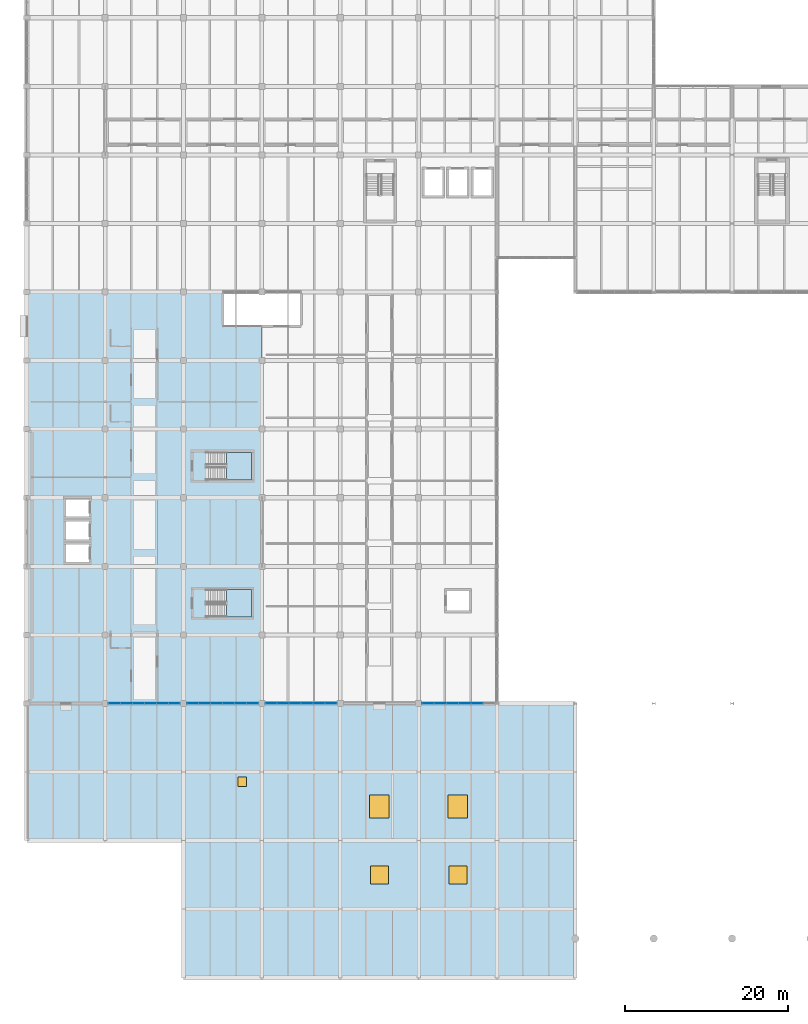
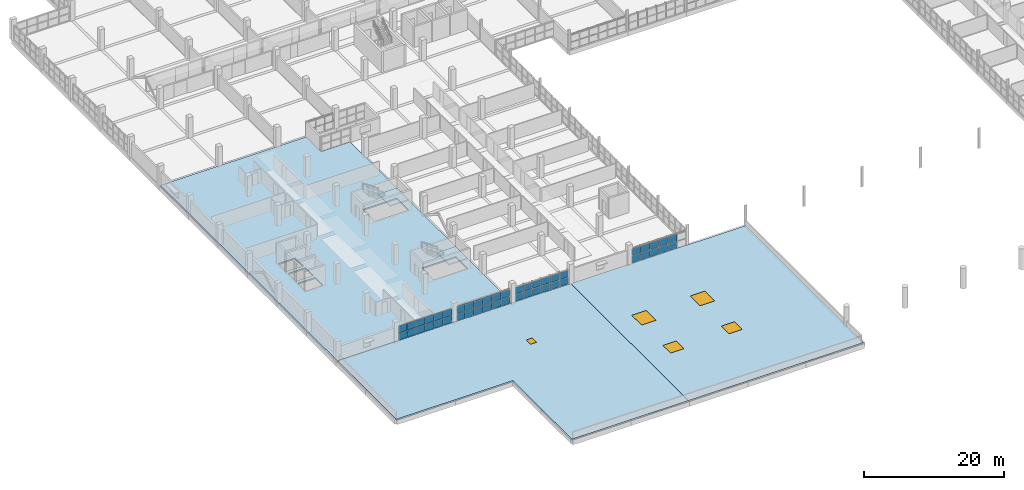
# One storey, part 91 of 147: 46 plates, 5 slabs, 4 windows, 1 door, 5 openings, 7 elements without a shape of their own.
"""IFC4 building model written with IfcOpenShell, lengths in metres."""

from ifc_helpers import new_model, si_unit, direction, frame, origin, origin_2d, place, context, subcontext, project, spatial, polyline, rectangle, outline, extrude, material, layer, layer_set, type_object, element, fill, aggregate, save


model = new_model("IFC4")

# Units and contexts
model_context = context("Model", 3, precision=1e-05, world=origin(), true_north=direction((0.0, 1.0)))
body_context = subcontext(model_context, "Body", "Model", "MODEL_VIEW")
ifc_project = project(units=[si_unit("LENGTHUNIT", "METRE"), si_unit("AREAUNIT", "SQUARE_METRE"), si_unit("VOLUMEUNIT", "CUBIC_METRE"), si_unit("PLANEANGLEUNIT", "RADIAN"), si_unit("MASSUNIT", "GRAM", prefix="KILO")], contexts=[model_context])

# Site, building, storey
site_placement = place(None, origin())
site = spatial("IfcSite", under=ifc_project, at=site_placement, CompositionType="ELEMENT")
building_placement = place(site_placement, origin())
building = spatial("IfcBuilding", under=site, at=building_placement, Name="Oolite Switchyard Hospital", CompositionType="ELEMENT")
storey_placement = place(building_placement, frame((0.0, 0.0, 9.89990234375)))
storey = spatial("IfcBuildingStorey", under=building, at=storey_placement, Name="L02", CompositionType="ELEMENT", Elevation=9.89990234375)

# Curtain wall, plates
ifc_material_1 = material(Name="Thermally broken aluminum frame with laminated impact glazing", Category="aluminium")
curtain_wall_type = type_object("IfcCurtainWallType", Name="CW-UNIT-96X36", PredefinedType="USERDEFINED", material=ifc_material_1)
curtain_wall_1_placement = place(storey_placement, origin())
curtain_wall_1 = element("IfcCurtainWall", 1, at=curtain_wall_1_placement, inside=storey, type_object=curtain_wall_type, Name="L02 Unitised Curtain Wall 221", ObjectType="UNITISED", PredefinedType="USERDEFINED")
ifc_material_2 = material(Name="Insulated fluoropolymer-coated aluminum spandrel panel", Category="aluminium")
ifc_layer_1 = layer(ifc_material_2, 0.070068359375)
ifc_layer_set_1 = layer_set([ifc_layer_1], Name="CW-PNL-SPN70")
plate_type_1 = type_object("IfcPlateType", Name="CW-PNL-SPN70", PredefinedType="CURTAIN_PANEL", material=ifc_layer_set_1)
plate_1_placement = place(storey_placement, frame((18.0576171875, 33.60009765625, 0.0751953125), z_axis=(0.0, 0.0, 1.0), x_axis=(-1.0, 0.0, 0.0)))
plate_1 = element("IfcPlate", 2, at=plate_1_placement, type_object=plate_type_1, Name="CW-03 panel 1.1", PredefinedType="CURTAIN_PANEL", context=body_context, shape_type="SweptSolid", body=[
    extrude(rectangle(XDim=1.364990234375, YDim=0.070068359375, at=origin_2d()), origin(), (0.0, 0.0, 1.0), 1.172607421875),
])
plate_2_placement = place(storey_placement, frame((18.0576171875, 33.60009765625, 1.32275390625), z_axis=(0.0, 0.0, 1.0), x_axis=(-1.0, 0.0, 0.0)))
plate_2 = element("IfcPlate", 3, at=plate_2_placement, type_object=plate_type_1, Name="CW-03 panel 1.2", PredefinedType="CURTAIN_PANEL", context=body_context, shape_type="SweptSolid", body=[
    extrude(rectangle(XDim=1.364990234375, YDim=0.070068359375, at=origin_2d()), origin(), (0.0, 0.0, 1.0), 1.172607421875),
])
plate_3_placement = place(storey_placement, frame((16.60498046875, 33.60009765625, 0.0751953125), z_axis=(0.0, 0.0, 1.0), x_axis=(-1.0, 0.0, 0.0)))
plate_3 = element("IfcPlate", 4, at=plate_3_placement, type_object=plate_type_1, Name="CW-03 panel 2.1", PredefinedType="CURTAIN_PANEL", context=body_context, shape_type="SweptSolid", body=[
    extrude(rectangle(XDim=1.39990234375, YDim=0.070068359375, at=origin_2d()), origin(), (0.0, 0.0, 1.0), 1.172607421875),
])
plate_4_placement = place(storey_placement, frame((16.60498046875, 33.60009765625, 1.32275390625), z_axis=(0.0, 0.0, 1.0), x_axis=(-1.0, 0.0, 0.0)))
plate_4 = element("IfcPlate", 5, at=plate_4_placement, type_object=plate_type_1, Name="CW-03 panel 2.2", PredefinedType="CURTAIN_PANEL", context=body_context, shape_type="SweptSolid", body=[
    extrude(rectangle(XDim=1.39990234375, YDim=0.070068359375, at=origin_2d()), origin(), (0.0, 0.0, 1.0), 1.172607421875),
])
plate_5_placement = place(storey_placement, frame((15.135009765625, 33.60009765625, 0.0751953125), z_axis=(0.0, 0.0, 1.0), x_axis=(-1.0, 0.0, 0.0)))
plate_5 = element("IfcPlate", 6, at=plate_5_placement, type_object=plate_type_1, Name="CW-03 panel 3.1", PredefinedType="CURTAIN_PANEL", context=body_context, shape_type="SweptSolid", body=[
    extrude(rectangle(XDim=1.39990234375, YDim=0.070068359375, at=origin_2d()), origin(), (0.0, 0.0, 1.0), 1.172607421875),
])
plate_6_placement = place(storey_placement, frame((15.135009765625, 33.60009765625, 1.32275390625), z_axis=(0.0, 0.0, 1.0), x_axis=(-1.0, 0.0, 0.0)))
plate_6 = element("IfcPlate", 7, at=plate_6_placement, type_object=plate_type_1, Name="CW-03 panel 3.2", PredefinedType="CURTAIN_PANEL", context=body_context, shape_type="SweptSolid", body=[
    extrude(rectangle(XDim=1.39990234375, YDim=0.070068359375, at=origin_2d()), origin(), (0.0, 0.0, 1.0), 1.172607421875),
])
plate_7_placement = place(storey_placement, frame((13.6650390625, 33.60009765625, 0.0751953125), z_axis=(0.0, 0.0, 1.0), x_axis=(-1.0, 0.0, 0.0)))
plate_7 = element("IfcPlate", 8, at=plate_7_placement, type_object=plate_type_1, Name="CW-03 panel 4.1", PredefinedType="CURTAIN_PANEL", context=body_context, shape_type="SweptSolid", body=[
    extrude(rectangle(XDim=1.39990234375, YDim=0.070068359375, at=origin_2d()), origin(), (0.0, 0.0, 1.0), 1.172607421875),
])
plate_8_placement = place(storey_placement, frame((13.6650390625, 33.60009765625, 1.32275390625), z_axis=(0.0, 0.0, 1.0), x_axis=(-1.0, 0.0, 0.0)))
plate_8 = element("IfcPlate", 9, at=plate_8_placement, type_object=plate_type_1, Name="CW-03 panel 4.2", PredefinedType="CURTAIN_PANEL", context=body_context, shape_type="SweptSolid", body=[
    extrude(rectangle(XDim=1.39990234375, YDim=0.070068359375, at=origin_2d()), origin(), (0.0, 0.0, 1.0), 1.172607421875),
])
plate_9_placement = place(storey_placement, frame((12.195068359375, 33.60009765625, 0.0751953125), z_axis=(0.0, 0.0, 1.0), x_axis=(-1.0, 0.0, 0.0)))
plate_9 = element("IfcPlate", 10, at=plate_9_placement, type_object=plate_type_1, Name="CW-03 panel 5.1", PredefinedType="CURTAIN_PANEL", context=body_context, shape_type="SweptSolid", body=[
    extrude(rectangle(XDim=1.39990234375, YDim=0.070068359375, at=origin_2d()), origin(), (0.0, 0.0, 1.0), 1.172607421875),
])
plate_10_placement = place(storey_placement, frame((12.195068359375, 33.60009765625, 1.32275390625), z_axis=(0.0, 0.0, 1.0), x_axis=(-1.0, 0.0, 0.0)))
plate_10 = element("IfcPlate", 11, at=plate_10_placement, type_object=plate_type_1, Name="CW-03 panel 5.2", PredefinedType="CURTAIN_PANEL", context=body_context, shape_type="SweptSolid", body=[
    extrude(rectangle(XDim=1.39990234375, YDim=0.070068359375, at=origin_2d()), origin(), (0.0, 0.0, 1.0), 1.172607421875),
])
plate_11_placement = place(storey_placement, frame((10.742431640625, 33.60009765625, 0.0751953125), z_axis=(0.0, 0.0, 1.0), x_axis=(-1.0, 0.0, 0.0)))
plate_11 = element("IfcPlate", 12, at=plate_11_placement, type_object=plate_type_1, Name="CW-03 panel 6.1", PredefinedType="CURTAIN_PANEL", context=body_context, shape_type="SweptSolid", body=[
    extrude(rectangle(XDim=1.364990234375, YDim=0.070068359375, at=origin_2d()), origin(), (0.0, 0.0, 1.0), 1.172607421875),
])
plate_12_placement = place(storey_placement, frame((10.742431640625, 33.60009765625, 1.32275390625), z_axis=(0.0, 0.0, 1.0), x_axis=(-1.0, 0.0, 0.0)))
plate_12 = element("IfcPlate", 13, at=plate_12_placement, type_object=plate_type_1, Name="CW-03 panel 6.2", PredefinedType="CURTAIN_PANEL", context=body_context, shape_type="SweptSolid", body=[
    extrude(rectangle(XDim=1.364990234375, YDim=0.070068359375, at=origin_2d()), origin(), (0.0, 0.0, 1.0), 1.172607421875),
])
aggregate(curtain_wall_1, [plate_1, plate_2, plate_3, plate_4, plate_5, plate_6, plate_7, plate_8, plate_9, plate_10, plate_11, plate_12])

curtain_wall_2_placement = place(storey_placement, origin())
curtain_wall_2 = element("IfcCurtainWall", 14, at=curtain_wall_2_placement, inside=storey, type_object=curtain_wall_type, Name="L02 Unitised Curtain Wall 224", ObjectType="UNITISED", PredefinedType="USERDEFINED")
ifc_material_3 = material(Name="Laminated hurricane-impact insulated glazing unit", Category="glass")
ifc_layer_2 = layer(ifc_material_3, 0.028076171875)
ifc_layer_set_2 = layer_set([ifc_layer_2], Name="CW-PNL-VIS28")
plate_type_2 = type_object("IfcPlateType", Name="CW-PNL-VIS28", PredefinedType="CURTAIN_PANEL", material=ifc_layer_set_2)
plate_13_placement = place(storey_placement, frame((55.15283203125, 33.60009765625, 0.06005859375), z_axis=(0.0, 0.0, 1.0), x_axis=(-1.0, 0.0, 0.0)))
plate_13 = element("IfcPlate", 15, at=plate_13_placement, type_object=plate_type_2, Name="CW-03 panel 2.1", PredefinedType="CURTAIN_PANEL", context=body_context, shape_type="SweptSolid", body=[
    extrude(rectangle(XDim=1.432861328125, YDim=0.028076171875, at=origin_2d()), origin(), (0.0, 0.0, 1.0), 1.195068359375),
])
plate_14_placement = place(storey_placement, frame((55.15283203125, 33.60009765625, 1.31494140625), z_axis=(0.0, 0.0, 1.0), x_axis=(-1.0, 0.0, 0.0)))
plate_14 = element("IfcPlate", 16, at=plate_14_placement, type_object=plate_type_2, Name="CW-03 panel 2.2", PredefinedType="CURTAIN_PANEL", context=body_context, shape_type="SweptSolid", body=[
    extrude(rectangle(XDim=1.432861328125, YDim=0.028076171875, at=origin_2d()), origin(), (0.0, 0.0, 1.0), 1.195068359375),
])
plate_15_placement = place(storey_placement, frame((53.64990234375, 33.60009765625, 0.06005859375), z_axis=(0.0, 0.0, 1.0), x_axis=(-1.0, 0.0, 0.0)))
plate_15 = element("IfcPlate", 17, at=plate_15_placement, type_object=plate_type_2, Name="CW-03 panel 3.1", PredefinedType="CURTAIN_PANEL", context=body_context, shape_type="SweptSolid", body=[
    extrude(rectangle(XDim=1.432861328125, YDim=0.028076171875, at=origin_2d()), origin(), (0.0, 0.0, 1.0), 1.195068359375),
])
plate_16_placement = place(storey_placement, frame((53.64990234375, 33.60009765625, 1.31494140625), z_axis=(0.0, 0.0, 1.0), x_axis=(-1.0, 0.0, 0.0)))
plate_16 = element("IfcPlate", 18, at=plate_16_placement, type_object=plate_type_2, Name="CW-03 panel 3.2", PredefinedType="CURTAIN_PANEL", context=body_context, shape_type="SweptSolid", body=[
    extrude(rectangle(XDim=1.432861328125, YDim=0.028076171875, at=origin_2d()), origin(), (0.0, 0.0, 1.0), 1.195068359375),
])
plate_17_placement = place(storey_placement, frame((52.14697265625, 33.60009765625, 0.06005859375), z_axis=(0.0, 0.0, 1.0), x_axis=(-1.0, 0.0, 0.0)))
plate_17 = element("IfcPlate", 19, at=plate_17_placement, type_object=plate_type_2, Name="CW-03 panel 4.1", PredefinedType="CURTAIN_PANEL", context=body_context, shape_type="SweptSolid", body=[
    extrude(rectangle(XDim=1.432861328125, YDim=0.028076171875, at=origin_2d()), origin(), (0.0, 0.0, 1.0), 1.195068359375),
])
plate_18_placement = place(storey_placement, frame((52.14697265625, 33.60009765625, 1.31494140625), z_axis=(0.0, 0.0, 1.0), x_axis=(-1.0, 0.0, 0.0)))
plate_18 = element("IfcPlate", 20, at=plate_18_placement, type_object=plate_type_2, Name="CW-03 panel 4.2", PredefinedType="CURTAIN_PANEL", context=body_context, shape_type="SweptSolid", body=[
    extrude(rectangle(XDim=1.432861328125, YDim=0.028076171875, at=origin_2d()), origin(), (0.0, 0.0, 1.0), 1.195068359375),
])
plate_19_placement = place(storey_placement, frame((50.644287109375, 33.60009765625, 0.06005859375), z_axis=(0.0, 0.0, 1.0), x_axis=(-1.0, 0.0, 0.0)))
plate_19 = element("IfcPlate", 21, at=plate_19_placement, type_object=plate_type_2, Name="CW-03 panel 5.1", PredefinedType="CURTAIN_PANEL", context=body_context, shape_type="SweptSolid", body=[
    extrude(rectangle(XDim=1.432861328125, YDim=0.028076171875, at=origin_2d()), origin(), (0.0, 0.0, 1.0), 1.195068359375),
])
plate_20_placement = place(storey_placement, frame((50.644287109375, 33.60009765625, 1.31494140625), z_axis=(0.0, 0.0, 1.0), x_axis=(-1.0, 0.0, 0.0)))
plate_20 = element("IfcPlate", 22, at=plate_20_placement, type_object=plate_type_2, Name="CW-03 panel 5.2", PredefinedType="CURTAIN_PANEL", context=body_context, shape_type="SweptSolid", body=[
    extrude(rectangle(XDim=1.432861328125, YDim=0.028076171875, at=origin_2d()), origin(), (0.0, 0.0, 1.0), 1.195068359375),
])
plate_21_placement = place(storey_placement, frame((49.158935546875, 33.60009765625, 0.06005859375), z_axis=(0.0, 0.0, 1.0), x_axis=(-1.0, 0.0, 0.0)))
plate_21 = element("IfcPlate", 23, at=plate_21_placement, type_object=plate_type_2, Name="CW-03 panel 6.1", PredefinedType="CURTAIN_PANEL", context=body_context, shape_type="SweptSolid", body=[
    extrude(rectangle(XDim=1.39794921875, YDim=0.028076171875, at=origin_2d()), origin(), (0.0, 0.0, 1.0), 1.195068359375),
])
plate_22_placement = place(storey_placement, frame((49.158935546875, 33.60009765625, 1.31494140625), z_axis=(0.0, 0.0, 1.0), x_axis=(-1.0, 0.0, 0.0)))
plate_22 = element("IfcPlate", 24, at=plate_22_placement, type_object=plate_type_2, Name="CW-03 panel 6.2", PredefinedType="CURTAIN_PANEL", context=body_context, shape_type="SweptSolid", body=[
    extrude(rectangle(XDim=1.39794921875, YDim=0.028076171875, at=origin_2d()), origin(), (0.0, 0.0, 1.0), 1.195068359375),
])
aggregate(curtain_wall_2, [plate_13, plate_14, plate_15, plate_16, plate_17, plate_18, plate_19, plate_20, plate_21, plate_22])

curtain_wall_3_placement = place(storey_placement, origin())
curtain_wall_3 = element("IfcCurtainWall", 25, at=curtain_wall_3_placement, inside=storey, type_object=curtain_wall_type, Name="L02 Unitised Curtain Wall 222", ObjectType="UNITISED", PredefinedType="USERDEFINED")
ifc_layer_3 = layer(ifc_material_3, 0.031982421875)
ifc_layer_set_3 = layer_set([ifc_layer_3], Name="CW-PNL-VIS32")
plate_type_3 = type_object("IfcPlateType", Name="CW-PNL-VIS32", PredefinedType="CURTAIN_PANEL", material=ifc_layer_set_3)
plate_23_placement = place(storey_placement, frame((27.65625, 33.60009765625, 0.06005859375), z_axis=(0.0, 0.0, 1.0), x_axis=(-1.0, 0.0, 0.0)))
plate_23 = element("IfcPlate", 26, at=plate_23_placement, type_object=plate_type_3, Name="CW-03 panel 1.1", PredefinedType="CURTAIN_PANEL", context=body_context, shape_type="SweptSolid", body=[
    extrude(rectangle(XDim=1.357421875, YDim=0.031982421875, at=origin_2d()), origin(), (0.0, 0.0, 1.0), 1.195068359375),
])
plate_24_placement = place(storey_placement, frame((27.65625, 33.60009765625, 1.31494140625), z_axis=(0.0, 0.0, 1.0), x_axis=(-1.0, 0.0, 0.0)))
plate_24 = element("IfcPlate", 27, at=plate_24_placement, type_object=plate_type_3, Name="CW-03 panel 1.2", PredefinedType="CURTAIN_PANEL", context=body_context, shape_type="SweptSolid", body=[
    extrude(rectangle(XDim=1.357421875, YDim=0.031982421875, at=origin_2d()), origin(), (0.0, 0.0, 1.0), 1.195068359375),
])
plate_25_placement = place(storey_placement, frame((26.205078125, 33.60009765625, 0.06005859375), z_axis=(0.0, 0.0, 1.0), x_axis=(-1.0, 0.0, 0.0)))
plate_25 = element("IfcPlate", 28, at=plate_25_placement, type_object=plate_type_3, Name="CW-03 panel 2.1", PredefinedType="CURTAIN_PANEL", context=body_context, shape_type="SweptSolid", body=[
    extrude(rectangle(XDim=1.39501953125, YDim=0.031982421875, at=origin_2d()), origin(), (0.0, 0.0, 1.0), 1.195068359375),
])
plate_26_placement = place(storey_placement, frame((26.205078125, 33.60009765625, 1.31494140625), z_axis=(0.0, 0.0, 1.0), x_axis=(-1.0, 0.0, 0.0)))
plate_26 = element("IfcPlate", 29, at=plate_26_placement, type_object=plate_type_3, Name="CW-03 panel 2.2", PredefinedType="CURTAIN_PANEL", context=body_context, shape_type="SweptSolid", body=[
    extrude(rectangle(XDim=1.39501953125, YDim=0.031982421875, at=origin_2d()), origin(), (0.0, 0.0, 1.0), 1.195068359375),
])
plate_27_placement = place(storey_placement, frame((24.735107421875, 33.60009765625, 0.06005859375), z_axis=(0.0, 0.0, 1.0), x_axis=(-1.0, 0.0, 0.0)))
plate_27 = element("IfcPlate", 30, at=plate_27_placement, type_object=plate_type_3, Name="CW-03 panel 3.1", PredefinedType="CURTAIN_PANEL", context=body_context, shape_type="SweptSolid", body=[
    extrude(rectangle(XDim=1.39501953125, YDim=0.031982421875, at=origin_2d()), origin(), (0.0, 0.0, 1.0), 1.195068359375),
])
plate_28_placement = place(storey_placement, frame((24.735107421875, 33.60009765625, 1.31494140625), z_axis=(0.0, 0.0, 1.0), x_axis=(-1.0, 0.0, 0.0)))
plate_28 = element("IfcPlate", 31, at=plate_28_placement, type_object=plate_type_3, Name="CW-03 panel 3.2", PredefinedType="CURTAIN_PANEL", context=body_context, shape_type="SweptSolid", body=[
    extrude(rectangle(XDim=1.39501953125, YDim=0.031982421875, at=origin_2d()), origin(), (0.0, 0.0, 1.0), 1.195068359375),
])
plate_29_placement = place(storey_placement, frame((23.264892578125, 33.60009765625, 0.06005859375), z_axis=(0.0, 0.0, 1.0), x_axis=(-1.0, 0.0, 0.0)))
plate_29 = element("IfcPlate", 32, at=plate_29_placement, type_object=plate_type_3, Name="CW-03 panel 4.1", PredefinedType="CURTAIN_PANEL", context=body_context, shape_type="SweptSolid", body=[
    extrude(rectangle(XDim=1.39501953125, YDim=0.031982421875, at=origin_2d()), origin(), (0.0, 0.0, 1.0), 1.195068359375),
])
plate_30_placement = place(storey_placement, frame((23.264892578125, 33.60009765625, 1.31494140625), z_axis=(0.0, 0.0, 1.0), x_axis=(-1.0, 0.0, 0.0)))
plate_30 = element("IfcPlate", 33, at=plate_30_placement, type_object=plate_type_3, Name="CW-03 panel 4.2", PredefinedType="CURTAIN_PANEL", context=body_context, shape_type="SweptSolid", body=[
    extrude(rectangle(XDim=1.39501953125, YDim=0.031982421875, at=origin_2d()), origin(), (0.0, 0.0, 1.0), 1.195068359375),
])
plate_31_placement = place(storey_placement, frame((21.794921875, 33.60009765625, 0.06005859375), z_axis=(0.0, 0.0, 1.0), x_axis=(-1.0, 0.0, 0.0)))
plate_31 = element("IfcPlate", 34, at=plate_31_placement, type_object=plate_type_3, Name="CW-03 panel 5.1", PredefinedType="CURTAIN_PANEL", context=body_context, shape_type="SweptSolid", body=[
    extrude(rectangle(XDim=1.39501953125, YDim=0.031982421875, at=origin_2d()), origin(), (0.0, 0.0, 1.0), 1.195068359375),
])
plate_32_placement = place(storey_placement, frame((21.794921875, 33.60009765625, 1.31494140625), z_axis=(0.0, 0.0, 1.0), x_axis=(-1.0, 0.0, 0.0)))
plate_32 = element("IfcPlate", 35, at=plate_32_placement, type_object=plate_type_3, Name="CW-03 panel 5.2", PredefinedType="CURTAIN_PANEL", context=body_context, shape_type="SweptSolid", body=[
    extrude(rectangle(XDim=1.39501953125, YDim=0.031982421875, at=origin_2d()), origin(), (0.0, 0.0, 1.0), 1.195068359375),
])
plate_33_placement = place(storey_placement, frame((20.34375, 33.60009765625, 0.06005859375), z_axis=(0.0, 0.0, 1.0), x_axis=(-1.0, 0.0, 0.0)))
plate_33 = element("IfcPlate", 36, at=plate_33_placement, type_object=plate_type_3, Name="CW-03 panel 6.1", PredefinedType="CURTAIN_PANEL", context=body_context, shape_type="SweptSolid", body=[
    extrude(rectangle(XDim=1.357421875, YDim=0.031982421875, at=origin_2d()), origin(), (0.0, 0.0, 1.0), 1.195068359375),
])
plate_34_placement = place(storey_placement, frame((20.34375, 33.60009765625, 1.31494140625), z_axis=(0.0, 0.0, 1.0), x_axis=(-1.0, 0.0, 0.0)))
plate_34 = element("IfcPlate", 37, at=plate_34_placement, type_object=plate_type_3, Name="CW-03 panel 6.2", PredefinedType="CURTAIN_PANEL", context=body_context, shape_type="SweptSolid", body=[
    extrude(rectangle(XDim=1.357421875, YDim=0.031982421875, at=origin_2d()), origin(), (0.0, 0.0, 1.0), 1.195068359375),
])
aggregate(curtain_wall_3, [plate_23, plate_24, plate_25, plate_26, plate_27, plate_28, plate_29, plate_30, plate_31, plate_32, plate_33, plate_34])

curtain_wall_4_placement = place(storey_placement, origin())
curtain_wall_4 = element("IfcCurtainWall", 38, at=curtain_wall_4_placement, inside=storey, type_object=curtain_wall_type, Name="L02 Unitised Curtain Wall 223", ObjectType="UNITISED", PredefinedType="USERDEFINED")
ifc_layer_4 = layer(ifc_material_3, 0.0419921875)
ifc_layer_set_4 = layer_set([ifc_layer_4], Name="CW-PNL-VIS42")
plate_type_4 = type_object("IfcPlateType", Name="CW-PNL-VIS42", PredefinedType="CURTAIN_PANEL", material=ifc_layer_set_4)
plate_35_placement = place(storey_placement, frame((37.260009765625, 33.60009765625, 0.0751953125), z_axis=(0.0, 0.0, 1.0), x_axis=(-1.0, 0.0, 0.0)))
plate_35 = element("IfcPlate", 39, at=plate_35_placement, type_object=plate_type_4, Name="CW-03 panel 1.1", PredefinedType="CURTAIN_PANEL", context=body_context, shape_type="SweptSolid", body=[
    extrude(rectangle(XDim=1.3798828125, YDim=0.0419921875, at=origin_2d()), origin(), (0.0, 0.0, 1.0), 1.172607421875),
])
plate_36_placement = place(storey_placement, frame((37.260009765625, 33.60009765625, 1.32275390625), z_axis=(0.0, 0.0, 1.0), x_axis=(-1.0, 0.0, 0.0)))
plate_36 = element("IfcPlate", 40, at=plate_36_placement, type_object=plate_type_4, Name="CW-03 panel 1.2", PredefinedType="CURTAIN_PANEL", context=body_context, shape_type="SweptSolid", body=[
    extrude(rectangle(XDim=1.3798828125, YDim=0.0419921875, at=origin_2d()), origin(), (0.0, 0.0, 1.0), 1.172607421875),
])
plate_37_placement = place(storey_placement, frame((35.804931640625, 33.60009765625, 0.0751953125), z_axis=(0.0, 0.0, 1.0), x_axis=(-1.0, 0.0, 0.0)))
plate_37 = element("IfcPlate", 41, at=plate_37_placement, type_object=plate_type_4, Name="CW-03 panel 2.1", PredefinedType="CURTAIN_PANEL", context=body_context, shape_type="SweptSolid", body=[
    extrude(rectangle(XDim=1.409912109375, YDim=0.0419921875, at=origin_2d()), origin(), (0.0, 0.0, 1.0), 1.172607421875),
])
plate_38_placement = place(storey_placement, frame((35.804931640625, 33.60009765625, 1.32275390625), z_axis=(0.0, 0.0, 1.0), x_axis=(-1.0, 0.0, 0.0)))
plate_38 = element("IfcPlate", 42, at=plate_38_placement, type_object=plate_type_4, Name="CW-03 panel 2.2", PredefinedType="CURTAIN_PANEL", context=body_context, shape_type="SweptSolid", body=[
    extrude(rectangle(XDim=1.409912109375, YDim=0.0419921875, at=origin_2d()), origin(), (0.0, 0.0, 1.0), 1.172607421875),
])
plate_39_placement = place(storey_placement, frame((34.3349609375, 33.60009765625, 0.0751953125), z_axis=(0.0, 0.0, 1.0), x_axis=(-1.0, 0.0, 0.0)))
plate_39 = element("IfcPlate", 43, at=plate_39_placement, type_object=plate_type_4, Name="CW-03 panel 3.1", PredefinedType="CURTAIN_PANEL", context=body_context, shape_type="SweptSolid", body=[
    extrude(rectangle(XDim=1.409912109375, YDim=0.0419921875, at=origin_2d()), origin(), (0.0, 0.0, 1.0), 1.172607421875),
])
plate_40_placement = place(storey_placement, frame((34.3349609375, 33.60009765625, 1.32275390625), z_axis=(0.0, 0.0, 1.0), x_axis=(-1.0, 0.0, 0.0)))
plate_40 = element("IfcPlate", 44, at=plate_40_placement, type_object=plate_type_4, Name="CW-03 panel 3.2", PredefinedType="CURTAIN_PANEL", context=body_context, shape_type="SweptSolid", body=[
    extrude(rectangle(XDim=1.409912109375, YDim=0.0419921875, at=origin_2d()), origin(), (0.0, 0.0, 1.0), 1.172607421875),
])
plate_41_placement = place(storey_placement, frame((32.864990234375, 33.60009765625, 0.0751953125), z_axis=(0.0, 0.0, 1.0), x_axis=(-1.0, 0.0, 0.0)))
plate_41 = element("IfcPlate", 45, at=plate_41_placement, type_object=plate_type_4, Name="CW-03 panel 4.1", PredefinedType="CURTAIN_PANEL", context=body_context, shape_type="SweptSolid", body=[
    extrude(rectangle(XDim=1.409912109375, YDim=0.0419921875, at=origin_2d()), origin(), (0.0, 0.0, 1.0), 1.172607421875),
])
plate_42_placement = place(storey_placement, frame((32.864990234375, 33.60009765625, 1.32275390625), z_axis=(0.0, 0.0, 1.0), x_axis=(-1.0, 0.0, 0.0)))
plate_42 = element("IfcPlate", 46, at=plate_42_placement, type_object=plate_type_4, Name="CW-03 panel 4.2", PredefinedType="CURTAIN_PANEL", context=body_context, shape_type="SweptSolid", body=[
    extrude(rectangle(XDim=1.409912109375, YDim=0.0419921875, at=origin_2d()), origin(), (0.0, 0.0, 1.0), 1.172607421875),
])
plate_43_placement = place(storey_placement, frame((31.39501953125, 33.60009765625, 0.0751953125), z_axis=(0.0, 0.0, 1.0), x_axis=(-1.0, 0.0, 0.0)))
plate_43 = element("IfcPlate", 47, at=plate_43_placement, type_object=plate_type_4, Name="CW-03 panel 5.1", PredefinedType="CURTAIN_PANEL", context=body_context, shape_type="SweptSolid", body=[
    extrude(rectangle(XDim=1.409912109375, YDim=0.0419921875, at=origin_2d()), origin(), (0.0, 0.0, 1.0), 1.172607421875),
])
plate_44_placement = place(storey_placement, frame((31.39501953125, 33.60009765625, 1.32275390625), z_axis=(0.0, 0.0, 1.0), x_axis=(-1.0, 0.0, 0.0)))
plate_44 = element("IfcPlate", 48, at=plate_44_placement, type_object=plate_type_4, Name="CW-03 panel 5.2", PredefinedType="CURTAIN_PANEL", context=body_context, shape_type="SweptSolid", body=[
    extrude(rectangle(XDim=1.409912109375, YDim=0.0419921875, at=origin_2d()), origin(), (0.0, 0.0, 1.0), 1.172607421875),
])
plate_45_placement = place(storey_placement, frame((29.93994140625, 33.60009765625, 0.0751953125), z_axis=(0.0, 0.0, 1.0), x_axis=(-1.0, 0.0, 0.0)))
plate_45 = element("IfcPlate", 49, at=plate_45_placement, type_object=plate_type_4, Name="CW-03 panel 6.1", PredefinedType="CURTAIN_PANEL", context=body_context, shape_type="SweptSolid", body=[
    extrude(rectangle(XDim=1.3798828125, YDim=0.0419921875, at=origin_2d()), origin(), (0.0, 0.0, 1.0), 1.172607421875),
])
plate_46_placement = place(storey_placement, frame((29.93994140625, 33.60009765625, 1.32275390625), z_axis=(0.0, 0.0, 1.0), x_axis=(-1.0, 0.0, 0.0)))
plate_46 = element("IfcPlate", 50, at=plate_46_placement, type_object=plate_type_4, Name="CW-03 panel 6.2", PredefinedType="CURTAIN_PANEL", context=body_context, shape_type="SweptSolid", body=[
    extrude(rectangle(XDim=1.3798828125, YDim=0.0419921875, at=origin_2d()), origin(), (0.0, 0.0, 1.0), 1.172607421875),
])
aggregate(curtain_wall_4, [plate_35, plate_36, plate_37, plate_38, plate_39, plate_40, plate_41, plate_42, plate_43, plate_44, plate_45, plate_46])

# Slab
ifc_material_4 = material(Name="Concrete C40/50", Category="concrete")
ifc_layer_5 = layer(ifc_material_4, 0.260009765625)
ifc_layer_set_5 = layer_set([ifc_layer_5], Name="SLB-INT-260")
slab_type_1 = type_object("IfcSlabType", Name="SLB-INT-260", PredefinedType="FLOOR", material=ifc_layer_set_5)
slab_1_placement = place(storey_placement, frame((0.0, 0.0, -0.260009765625)))
element("IfcSlab", 51, at=slab_1_placement, inside=storey, type_object=slab_type_1, Name="L02 V5W Slab V5W", PredefinedType="FLOOR", context=body_context, shape_type="SweptSolid", body=[
    extrude(outline(polyline([(0.0, 33.60009765625), (28.800048828125, 33.60009765625), (28.800048828125, 79.800048828125), (24.0, 79.800048828125), (24.0, 84.0), (0.0, 84.0), (0.0, 33.60009765625)]), holes=[polyline([(21.9599609375, 44.199951171875), (27.550048828125, 44.199951171875), (27.550048828125, 47.56005859375), (21.9599609375, 47.56005859375), (21.9599609375, 44.199951171875)]), polyline([(21.9599609375, 61.0), (27.550048828125, 61.0), (27.550048828125, 64.360107421875), (21.9599609375, 64.360107421875), (21.9599609375, 61.0)]), polyline([(4.800048828125, 50.89990234375), (7.60009765625, 50.89990234375), (7.60009765625, 53.10009765625), (4.800048828125, 53.10009765625), (4.800048828125, 50.89990234375)]), polyline([(4.800048828125, 53.699951171875), (7.60009765625, 53.699951171875), (7.60009765625, 55.89990234375), (4.800048828125, 55.89990234375), (4.800048828125, 53.699951171875)]), polyline([(4.800048828125, 56.5), (7.60009765625, 56.5), (7.60009765625, 58.699951171875), (4.800048828125, 58.699951171875), (4.800048828125, 56.5)])]), origin(), (0.0, 0.0, 1.0), 0.260009765625),
])

# Stair, slab
stair_type = type_object("IfcStairType", Name="STR-DL-156-R20", PredefinedType="HALF_TURN_STAIR", material=ifc_material_4)
stair_1_placement = place(storey_placement, origin())
stair_1 = element("IfcStair", 52, at=stair_1_placement, inside=storey, type_object=stair_type, Name="L02 Exit Stair ST-01", PredefinedType="HALF_TURN_STAIR")
ifc_layer_6 = layer(ifc_material_4, 0.199951171875)
ifc_layer_set_6 = layer_set([ifc_layer_6], Name="SLB-LND-200")
slab_type_2 = type_object("IfcSlabType", Name="SLB-LND-200", PredefinedType="LANDING", material=ifc_layer_set_6)
slab_2_placement = place(storey_placement, frame((0.0, 0.0, 1.60009765625)))
slab_2 = element("IfcSlab", 53, at=slab_2_placement, type_object=slab_type_2, Name="ST-01 landing 1", PredefinedType="LANDING", context=body_context, shape_type="SweptSolid", body=[
    extrude(outline(polyline([(24.47998046875, 44.199951171875), (27.550048828125, 44.199951171875), (27.550048828125, 47.56005859375), (24.47998046875, 47.56005859375), (24.47998046875, 44.199951171875)])), origin(), (0.0, 0.0, 1.0), 0.199951171875),
])
aggregate(stair_1, [slab_2])

stair_2_placement = place(storey_placement, origin())
stair_2 = element("IfcStair", 54, at=stair_2_placement, inside=storey, type_object=stair_type, Name="L02 Exit Stair ST-02", PredefinedType="HALF_TURN_STAIR")
slab_3_placement = place(storey_placement, frame((0.0, 0.0, 1.60009765625)))
slab_3 = element("IfcSlab", 55, at=slab_3_placement, type_object=slab_type_2, Name="ST-02 landing 1", PredefinedType="LANDING", context=body_context, shape_type="SweptSolid", body=[
    extrude(outline(polyline([(24.47998046875, 61.0), (27.550048828125, 61.0), (27.550048828125, 64.360107421875), (24.47998046875, 64.360107421875), (24.47998046875, 61.0)])), origin(), (0.0, 0.0, 1.0), 0.199951171875),
])
aggregate(stair_2, [slab_3])

# Roof, slabs, openings, door, windows
roof_type = type_object("IfcRoofType", Name="ROOF-FLAT", PredefinedType="FLAT_ROOF", material=ifc_material_4)
roof_placement = place(storey_placement, origin())
roof = element("IfcRoof", 56, at=roof_placement, inside=storey, type_object=roof_type, Name="L02 Flat Cool Roof Assembly", PredefinedType="FLAT_ROOF")
ifc_layer_7 = layer(ifc_material_4, 0.219970703125)
ifc_layer_set_7 = layer_set([ifc_layer_7], Name="SLB-ROOF-220")
slab_type_3 = type_object("IfcSlabType", Name="SLB-ROOF-220", PredefinedType="ROOF", material=ifc_layer_set_7)
slab_4_placement = place(storey_placement, frame((0.0, 0.0, -0.219970703125)))
slab_4 = element("IfcSlab", 57, at=slab_4_placement, type_object=slab_type_3, Name="L02 V2 Slab V2RA", PredefinedType="ROOF", context=body_context, shape_type="SweptSolid", body=[
    extrude(outline(polyline([(19.199951171875, 0.0), (38.39990234375, 0.0), (38.39990234375, 33.60009765625), (0.0, 33.60009765625), (0.0, 16.800048828125), (19.199951171875, 16.800048828125), (19.199951171875, 0.0)])), origin(), (0.0, 0.0, 1.0), 0.219970703125),
])
opening_1_placement = place(slab_4_placement, frame((26.39990234375, 24.0, 0.0)))
opening_1 = element("IfcOpeningElement", 58, at=opening_1_placement, cuts=slab_4, Name="Opening HTD-01", PredefinedType="OPENING", context=body_context, shape_type="SweptSolid", body=[
    extrude(rectangle(XDim=1.0, YDim=1.199951171875, at=origin_2d()), frame((0.0, 0.0, -0.010009765625), z_axis=(0.0, 0.0, 1.0), x_axis=(1.0, 0.0, 0.0)), (0.0, 0.0, 1.0), 0.239990234375),
])
ifc_material_5 = material(Name="Insulated marine-grade aluminum roof access hatch", Category="aluminium")
door_type = type_object("IfcDoorType", Name="HT-RF-100X120", OperationType="NOTDEFINED", PredefinedType="TRAPDOOR", material=ifc_material_5)
door_placement = place(opening_1_placement, frame((0.0, 0.0, 0.169921875)))
door = element("IfcDoor", 59, at=door_placement, inside=storey, type_object=door_type, Name="L02 Maintenance Roof Access Hatch HTD-01", OperationType="SINGLE_SWING_LEFT", OverallHeight=1.199951171875, OverallWidth=1.0, PredefinedType="TRAPDOOR", context=body_context, shape_type="SweptSolid", body=[
    extrude(rectangle(XDim=1.0, YDim=1.199951171875, at=origin_2d()), origin(), (0.0, 0.0, 1.0), 0.050048828125),
])
fill(opening_1, door)
slab_5_placement = place(storey_placement, frame((0.0, 0.0, -0.219970703125)))
slab_5 = element("IfcSlab", 60, at=slab_5_placement, type_object=slab_type_3, Name="L02 V2 Slab V2RB", PredefinedType="ROOF", context=body_context, shape_type="SweptSolid", body=[
    extrude(outline(polyline([(38.39990234375, 0.0), (67.199951171875, 0.0), (67.199951171875, 33.60009765625), (38.39990234375, 33.60009765625), (38.39990234375, 0.0)])), origin(), (0.0, 0.0, 1.0), 0.219970703125),
])
opening_2_placement = place(slab_5_placement, frame((43.199951171875, 12.60009765625, 0.0)))
opening_2 = element("IfcOpeningElement", 61, at=opening_2_placement, cuts=slab_5, Name="Opening SKY-001", PredefinedType="OPENING", context=body_context, shape_type="SweptSolid", body=[
    extrude(rectangle(XDim=2.199951171875, YDim=2.199951171875, at=origin_2d()), frame((0.0, 0.0, -0.010009765625), z_axis=(0.0, 0.0, 1.0), x_axis=(1.0, 0.0, 0.0)), (0.0, 0.0, 1.0), 0.239990234375),
])
opening_3_placement = place(slab_5_placement, frame((52.800048828125, 12.60009765625, 0.0)))
opening_3 = element("IfcOpeningElement", 62, at=opening_3_placement, cuts=slab_5, Name="Opening SKY-002", PredefinedType="OPENING", context=body_context, shape_type="SweptSolid", body=[
    extrude(rectangle(XDim=2.199951171875, YDim=2.199951171875, at=origin_2d()), frame((0.0, 0.0, -0.010009765625), z_axis=(0.0, 0.0, 1.0), x_axis=(1.0, 0.0, 0.0)), (0.0, 0.0, 1.0), 0.239990234375),
])
opening_4_placement = place(slab_5_placement, frame((43.199951171875, 21.0, 0.0)))
opening_4 = element("IfcOpeningElement", 63, at=opening_4_placement, cuts=slab_5, Name="Opening SKY-003", PredefinedType="OPENING", context=body_context, shape_type="SweptSolid", body=[
    extrude(rectangle(XDim=2.39990234375, YDim=2.800048828125, at=origin_2d()), frame((0.0, 0.0, -0.010009765625), z_axis=(0.0, 0.0, 1.0), x_axis=(1.0, 0.0, 0.0)), (0.0, 0.0, 1.0), 0.239990234375),
])
opening_5_placement = place(slab_5_placement, frame((52.800048828125, 21.0, 0.0)))
opening_5 = element("IfcOpeningElement", 64, at=opening_5_placement, cuts=slab_5, Name="Opening SKY-004", PredefinedType="OPENING", context=body_context, shape_type="SweptSolid", body=[
    extrude(rectangle(XDim=2.39990234375, YDim=2.800048828125, at=origin_2d()), frame((0.0, 0.0, -0.010009765625), z_axis=(0.0, 0.0, 1.0), x_axis=(1.0, 0.0, 0.0)), (0.0, 0.0, 1.0), 0.239990234375),
])
window_type_1 = type_object("IfcWindowType", Name="SKY-220X220", PartitioningType="SINGLE_PANEL", PredefinedType="SKYLIGHT", material=ifc_material_1)
window_1_placement = place(opening_2_placement, frame((0.0, 0.0, 0.169921875)))
window_1 = element("IfcWindow", 65, at=window_1_placement, inside=storey, type_object=window_type_1, Name="L02 Hurricane Roof Skylight SKY-001", OverallHeight=2.199951171875, OverallWidth=2.199951171875, PartitioningType="SINGLE_PANEL", PredefinedType="SKYLIGHT", context=body_context, shape_type="SweptSolid", body=[
    extrude(rectangle(XDim=2.199951171875, YDim=2.199951171875, at=origin_2d()), origin(), (0.0, 0.0, 1.0), 0.050048828125),
])
fill(opening_2, window_1)
window_2_placement = place(opening_3_placement, frame((0.0, 0.0, 0.169921875)))
window_2 = element("IfcWindow", 66, at=window_2_placement, inside=storey, type_object=window_type_1, Name="L02 Hurricane Roof Skylight SKY-002", OverallHeight=2.199951171875, OverallWidth=2.199951171875, PartitioningType="SINGLE_PANEL", PredefinedType="SKYLIGHT", context=body_context, shape_type="SweptSolid", body=[
    extrude(rectangle(XDim=2.199951171875, YDim=2.199951171875, at=origin_2d()), origin(), (0.0, 0.0, 1.0), 0.050048828125),
])
fill(opening_3, window_2)
window_type_2 = type_object("IfcWindowType", Name="SKY-240X280", PartitioningType="SINGLE_PANEL", PredefinedType="SKYLIGHT", material=ifc_material_1)
window_3_placement = place(opening_4_placement, frame((0.0, 0.0, 0.169921875)))
window_3 = element("IfcWindow", 67, at=window_3_placement, inside=storey, type_object=window_type_2, Name="L02 Hurricane Roof Skylight SKY-003", OverallHeight=2.800048828125, OverallWidth=2.39990234375, PartitioningType="SINGLE_PANEL", PredefinedType="SKYLIGHT", context=body_context, shape_type="SweptSolid", body=[
    extrude(rectangle(XDim=2.39990234375, YDim=2.800048828125, at=origin_2d()), origin(), (0.0, 0.0, 1.0), 0.050048828125),
])
fill(opening_4, window_3)
window_4_placement = place(opening_5_placement, frame((0.0, 0.0, 0.169921875)))
window_4 = element("IfcWindow", 68, at=window_4_placement, inside=storey, type_object=window_type_2, Name="L02 Hurricane Roof Skylight SKY-004", OverallHeight=2.800048828125, OverallWidth=2.39990234375, PartitioningType="SINGLE_PANEL", PredefinedType="SKYLIGHT", context=body_context, shape_type="SweptSolid", body=[
    extrude(rectangle(XDim=2.39990234375, YDim=2.800048828125, at=origin_2d()), origin(), (0.0, 0.0, 1.0), 0.050048828125),
])
fill(opening_5, window_4)
aggregate(roof, [slab_4, slab_5])

save(model, "model.ifc")
